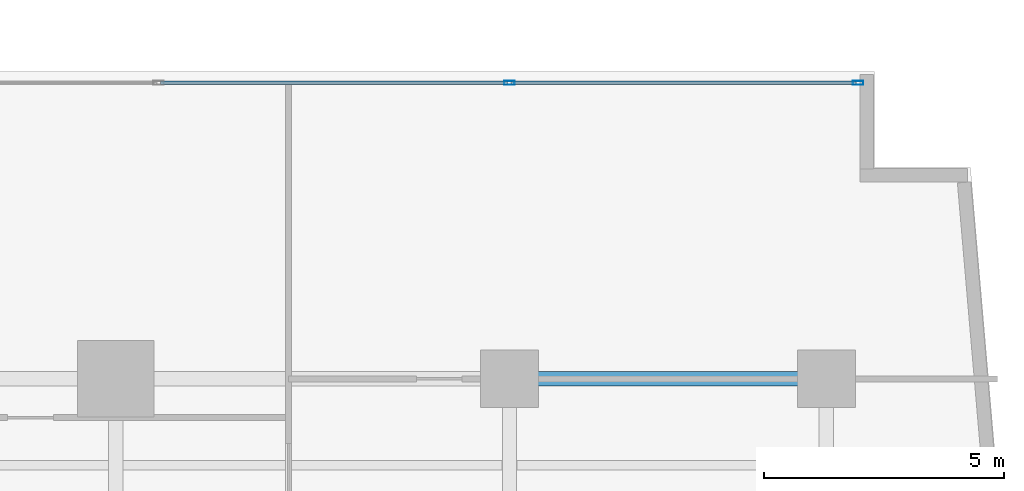
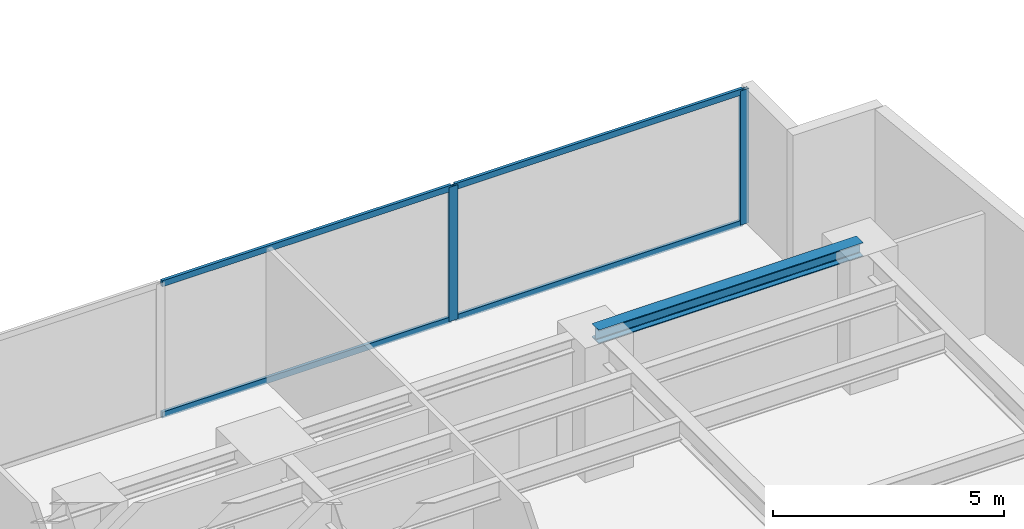
# One storey, part 14 of 26: 6 members, 1 beam, 1 element without a shape of its own.
"""IFC4 building model written with IfcOpenShell, lengths in metres."""

from ifc_helpers import new_model, si_unit, direction, frame, origin, origin_with_axes, origin_2d, place, context, subcontext, project, spatial, hollow_rectangle, i_section, extrude, source, transform, mapped, material, layer, layer_set, material_profile, profile_set, type_object, element, aggregate, save


model = new_model("IFC4")

# Units and contexts
model_context = context("Model", 3, precision=1e-05, world=origin(), true_north=direction((0.0, 1.0)))
body_context = subcontext(model_context, "Body", "Model", "MODEL_VIEW")
ifc_project = project(units=[si_unit("LENGTHUNIT", "METRE"), si_unit("AREAUNIT", "SQUARE_METRE"), si_unit("VOLUMEUNIT", "CUBIC_METRE"), si_unit("PLANEANGLEUNIT", "RADIAN"), si_unit("MASSUNIT", "GRAM", prefix="KILO")], contexts=[model_context])

# Site, building, storey
site_placement = place(None, origin())
site = spatial("IfcSite", under=ifc_project, at=site_placement, CompositionType="ELEMENT")
building_placement = place(site_placement, origin())
building = spatial("IfcBuilding", under=site, at=building_placement, Name="Kolvaren Waterfront Exchange", CompositionType="ELEMENT")
storey_placement = place(building_placement, frame((0.0, 0.0, 44.800048828125)))
storey = spatial("IfcBuildingStorey", under=building, at=storey_placement, Name="L11", CompositionType="ELEMENT", Elevation=44.800048828125)

# Beam
ifc_material_1 = material(Name="Steel S355", Category="steel")
ifc_material_profile_1 = material_profile(ifc_material_1, i_section(OverallWidth=0.300048828125, OverallDepth=0.360107421875, WebThickness=0.012451171875, FlangeThickness=0.0224609375, FilletRadius=0.027099609375, at=origin_2d()), Name="HEB360")
ifc_profile_set_1 = profile_set([ifc_material_profile_1], Name="Steel S355")
beam_type = type_object("IfcBeamType", Name="STR-BM-HEB360", PredefinedType="SPANDREL", material=ifc_profile_set_1)
beam_placement = place(storey_placement, frame((53.800048828125, 17.39990234375, 3.35986328125), z_axis=(1.0, 0.0, 0.0), x_axis=(0.0, 1.0, 0.0)))
element("IfcBeam", 1, at=beam_placement, inside=storey, type_object=beam_type, Name="L11 east-arm spandrel N5", PredefinedType="SPANDREL", context=body_context, shape_type="SweptSolid", body=[
    extrude(i_section(OverallWidth=0.300048828125, OverallDepth=0.360107421875, WebThickness=0.012451171875, FlangeThickness=0.0224609375, FilletRadius=0.027099609375, at=origin_2d()), origin(), (0.0, 0.0, 1.0), 6.599853515625),
])

# Curtain wall, members
ifc_material_2 = material(Name="Anodised bronze aluminium 6063-T6", Category="aluminium")
ifc_layer = layer(ifc_material_2, 0.219970703125, Name="Anodised bronze aluminium 6063-T6")
ifc_layer_set = layer_set([ifc_layer], Name="Anodised bronze aluminium 6063-T6")
curtain_wall_type = type_object("IfcCurtainWallType", Name="ARC-CW-SYS1", PredefinedType="USERDEFINED", material=ifc_layer_set)
curtain_wall_placement = place(storey_placement, origin())
curtain_wall = element("IfcCurtainWall", 2, at=curtain_wall_placement, inside=storey, type_object=curtain_wall_type, Name="L11 stick curtain wall CW1 (CW-L11-EN)", ObjectType="STICK CURTAIN WALL", PredefinedType="USERDEFINED")
ifc_material_3 = material(Name="Anodised aluminium 6063-T6", Category="aluminium")
ifc_material_profile_2 = material_profile(ifc_material_3, hollow_rectangle(XDim=0.074951171875, YDim=0.159912109375, WallThickness=0.00439453125, at=origin_2d()), Name="ALU-TRN-160x75x4.5")
ifc_profile_set_2 = profile_set([ifc_material_profile_2], Name="Anodised aluminium 6063-T6")
member_type_1 = type_object("IfcMemberType", Name="ARC-CWT-160", PredefinedType="USERDEFINED", material=ifc_profile_set_2)
shared_shape_1 = source(origin_with_axes(), body_context, "Body", "SweptSolid", [
    extrude(hollow_rectangle(XDim=0.074951171875, YDim=0.159912109375, WallThickness=0.00439453125, at=origin_2d()), origin(), (0.0, 0.0, 1.0), 7.1826171875),
])
member_1_placement = place(storey_placement, frame((53.83740234375, 23.56005859375, 0.037353515625), z_axis=(1.0, 0.0, 0.0), x_axis=(0.0, 1.0, 0.0)))
member_1 = element("IfcMember", 3, at=member_1_placement, type_object=member_type_1, Name="CW1 transom 4.1", ObjectType="TRANSOM", PredefinedType="USERDEFINED", context=body_context, shape_type="MappedRepresentation", body=[
    mapped(shared_shape_1, transform((0.0, 0.0, 0.0), x_axis=(1.0, 0.0, 0.0), y_axis=(0.0, 1.0, 0.0), z_axis=(0.0, 0.0, 1.0), scale=1.0)),
])
member_2_placement = place(storey_placement, frame((53.83740234375, 23.56005859375, 3.50244140625), z_axis=(1.0, 0.0, 0.0), x_axis=(0.0, 1.0, 0.0)))
member_2 = element("IfcMember", 4, at=member_2_placement, type_object=member_type_1, Name="CW1 transom 4.2", ObjectType="TRANSOM", PredefinedType="USERDEFINED", context=body_context, shape_type="MappedRepresentation", body=[
    mapped(shared_shape_1, transform((0.0, 0.0, 0.0), x_axis=(1.0, 0.0, 0.0), y_axis=(0.0, 1.0, 0.0), z_axis=(0.0, 0.0, 1.0), scale=1.0)),
])
shared_shape_2 = source(origin_with_axes(), body_context, "Body", "SweptSolid", [
    extrude(hollow_rectangle(XDim=0.074951171875, YDim=0.159912109375, WallThickness=0.00439453125, at=origin_2d()), origin(), (0.0, 0.0, 1.0), 7.22265625),
])
member_3_placement = place(storey_placement, frame((46.534912109375, 23.56005859375, 0.037353515625), z_axis=(1.0, 0.0, 0.0), x_axis=(0.0, 1.0, 0.0)))
member_3 = element("IfcMember", 5, at=member_3_placement, type_object=member_type_1, Name="CW1 transom 3.1", ObjectType="TRANSOM", PredefinedType="USERDEFINED", context=body_context, shape_type="MappedRepresentation", body=[
    mapped(shared_shape_2, transform((0.0, 0.0, 0.0), x_axis=(1.0, 0.0, 0.0), y_axis=(0.0, 1.0, 0.0), z_axis=(0.0, 0.0, 1.0), scale=1.0)),
])
member_4_placement = place(storey_placement, frame((46.534912109375, 23.56005859375, 3.50244140625), z_axis=(1.0, 0.0, 0.0), x_axis=(0.0, 1.0, 0.0)))
member_4 = element("IfcMember", 6, at=member_4_placement, type_object=member_type_1, Name="CW1 transom 3.2", ObjectType="TRANSOM", PredefinedType="USERDEFINED", context=body_context, shape_type="MappedRepresentation", body=[
    mapped(shared_shape_2, transform((0.0, 0.0, 0.0), x_axis=(1.0, 0.0, 0.0), y_axis=(0.0, 1.0, 0.0), z_axis=(0.0, 0.0, 1.0), scale=1.0)),
])
ifc_material_profile_3 = material_profile(ifc_material_3, hollow_rectangle(XDim=0.080078125, YDim=0.219970703125, WallThickness=0.0048828125, at=origin_2d()), Name="ALU-MUL-220x80x5")
ifc_profile_set_3 = profile_set([ifc_material_profile_3], Name="Anodised aluminium 6063-T6")
member_type_2 = type_object("IfcMemberType", Name="ARC-CWM-220", PredefinedType="MULLION", material=ifc_profile_set_3)
shared_shape_3 = source(origin_with_axes(), body_context, "Body", "SweptSolid", [
    extrude(hollow_rectangle(XDim=0.080078125, YDim=0.219970703125, WallThickness=0.0048828125, at=origin_2d()), origin(), (0.0, 0.0, 1.0), 3.5400390625),
])
member_5_placement = place(storey_placement, frame((53.797607421875, 23.56005859375, 0.0), z_axis=(0.0, 0.0, 1.0), x_axis=(0.0, 1.0, 0.0)))
member_5 = element("IfcMember", 7, at=member_5_placement, type_object=member_type_2, Name="CW1 mullion 4", PredefinedType="MULLION", context=body_context, shape_type="MappedRepresentation", body=[
    mapped(shared_shape_3, transform((0.0, 0.0, 0.0), x_axis=(1.0, 0.0, 0.0), y_axis=(0.0, 1.0, 0.0), z_axis=(0.0, 0.0, 1.0), scale=1.0)),
])
member_6_placement = place(storey_placement, frame((61.06005859375, 23.56005859375, 0.0), z_axis=(0.0, 0.0, 1.0), x_axis=(0.0, 1.0, 0.0)))
member_6 = element("IfcMember", 8, at=member_6_placement, type_object=member_type_2, Name="CW1 mullion 5", PredefinedType="MULLION", context=body_context, shape_type="MappedRepresentation", body=[
    mapped(shared_shape_3, transform((0.0, 0.0, 0.0), x_axis=(1.0, 0.0, 0.0), y_axis=(0.0, 1.0, 0.0), z_axis=(0.0, 0.0, 1.0), scale=1.0)),
])
aggregate(curtain_wall, [member_5, member_6, member_3, member_4, member_1, member_2])

save(model, "model.ifc")
